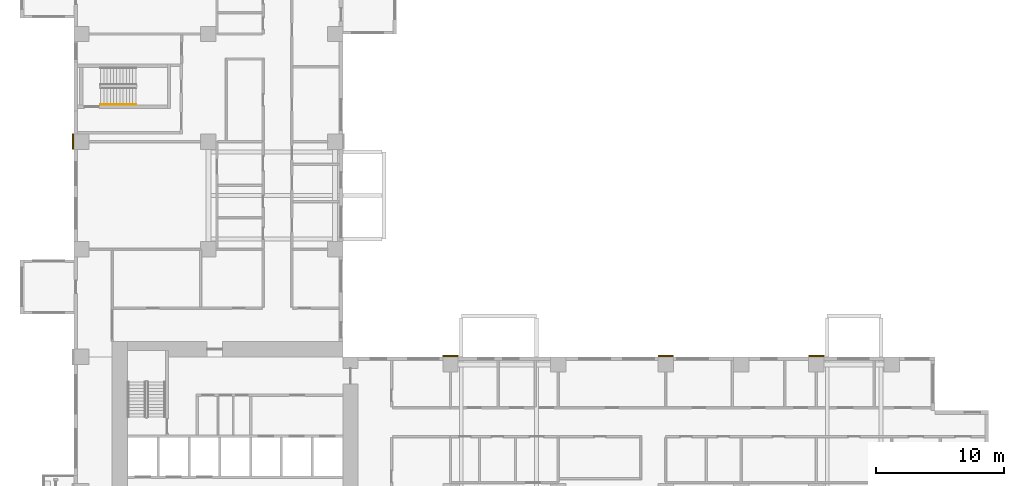
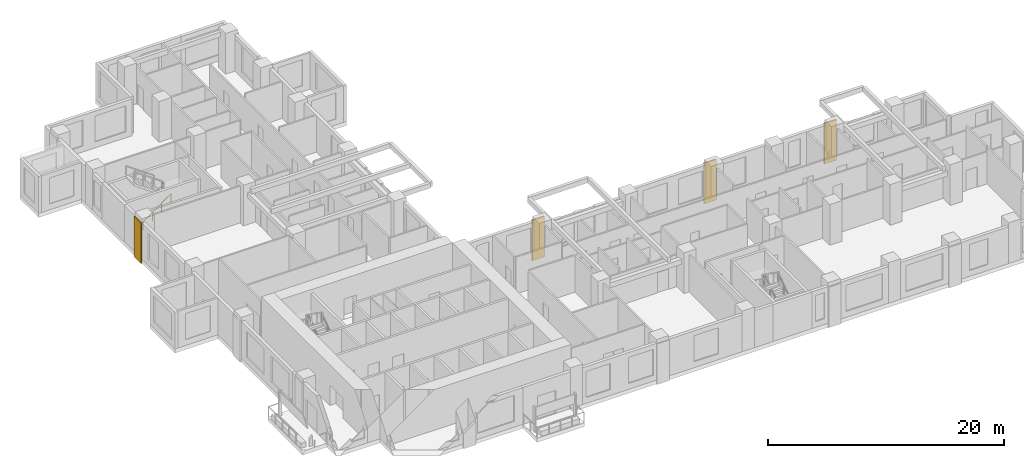
# One storey, part 13 of 14: 4 coverings, 1 railing.
"""IFC4 building model written with IfcOpenShell, lengths in metres."""

import ifcopenshell
import ifcopenshell.guid

model = None  # the IFC model being written
_history = None  # IfcOwnerHistory: only IFC2X3 demands one
_inside = {}  # id of a spatial element -> (the spatial element, [elements in it])
_under = {}  # id of a project, library or spatial element -> (it, [spatial elements below it])
_declared = {}  # id of a project -> (the project, [libraries it declares])
_typed = {}  # id of a type object -> (the type object, [elements of that type])
_made_of = {}  # id of a material, layer set ... -> (it, [elements and type objects made of it])


def new_model(schema):
    """Start an empty IFC model of exactly this schema.

    Asked for "IFC4X3", IfcOpenShell would pick the latest addendum, in which some entities
    have other attributes; the version numbers below select the first issue.
    IFC2X3 requires an IfcOwnerHistory on every rooted entity: one is made here for all.
    """
    global model, _history
    if schema == "IFC4X3":
        model = ifcopenshell.file(schema_version=(4, 3, 0, 0))
    else:
        model = ifcopenshell.file(schema=schema)
    _inside.clear()
    _under.clear()
    _declared.clear()
    _typed.clear()
    _made_of.clear()
    _history = None
    if model.schema == "IFC2X3":
        org = make("IfcOrganization", Name="unknown")
        user = make(
            "IfcPersonAndOrganization",
            ThePerson=make("IfcPerson", FamilyName="unknown"),
            TheOrganization=org,
        )
        app = make(
            "IfcApplication",
            ApplicationDeveloper=org,
            Version="unknown",
            ApplicationFullName="unknown",
            ApplicationIdentifier="unknown",
        )
        _history = make(
            "IfcOwnerHistory",
            OwningUser=user,
            OwningApplication=app,
            ChangeAction="ADDED",
            CreationDate=0,
        )
    return model


def make(cls, **values):
    """One entity of the class cls with the attributes given. An attribute that is None is left unset."""
    return model.create_entity(
        cls, **{name: value for name, value in values.items() if value is not None}
    )


def rooted(cls, **values):
    """An entity with a GlobalId (a new one), such as an element, a storey or a relation."""
    return make(cls, GlobalId=ifcopenshell.guid.new(), OwnerHistory=_history, **values)


def si_unit(unit_type, name, prefix=None):
    """IfcSIUnit, for example si_unit("LENGTHUNIT", "METRE", prefix="MILLI")."""
    return make("IfcSIUnit", UnitType=unit_type, Prefix=prefix, Name=name)


def assignment(units):
    """IfcUnitAssignment: the units of a project."""
    return None if units is None else make("IfcUnitAssignment", Units=units)


def point(xyz):
    """IfcCartesianPoint."""
    return None if xyz is None else make("IfcCartesianPoint", Coordinates=xyz)


def direction(xyz):
    """IfcDirection."""
    return None if xyz is None else make("IfcDirection", DirectionRatios=xyz)


def frame(location, z_axis=None, x_axis=None):
    """IfcAxis2Placement3D, a coordinate frame: its origin and axes. An axis left out is left unset."""
    return make(
        "IfcAxis2Placement3D",
        Location=point(location),
        Axis=direction(z_axis),
        RefDirection=direction(x_axis),
    )


def frame_2d(location, x_axis=None):
    """IfcAxis2Placement2D, a coordinate frame in the plane: its origin and x axis."""
    return make(
        "IfcAxis2Placement2D", Location=point(location), RefDirection=direction(x_axis)
    )


def origin():
    """The frame at (0, 0, 0) with its axes left unset."""
    return frame((0.0, 0.0, 0.0))


def origin_2d():
    """The frame at (0, 0) in the plane with its x axis left unset."""
    return frame_2d((0.0, 0.0))


def place(relative_to, where):
    """IfcLocalPlacement: puts the frame where relative to a parent placement (None: the world)."""
    return make(
        "IfcLocalPlacement", PlacementRelTo=relative_to, RelativePlacement=where
    )


def context(
    kind, dimensions, precision=None, world=None, true_north=None, identifier=None
):
    """IfcGeometricRepresentationContext, for example the 3D "Model" context."""
    return make(
        "IfcGeometricRepresentationContext",
        ContextIdentifier=identifier,
        ContextType=kind,
        CoordinateSpaceDimension=dimensions,
        Precision=precision,
        WorldCoordinateSystem=world,
        TrueNorth=true_north,
    )


def subcontext(parent, identifier, kind, view, scale=None):
    """IfcGeometricRepresentationSubContext, for example "Body" below "Model"."""
    return make(
        "IfcGeometricRepresentationSubContext",
        ContextIdentifier=identifier,
        ContextType=kind,
        ParentContext=parent,
        TargetScale=scale,
        TargetView=view,
    )


def project(units=None, contexts=None):
    """IfcProject with its units and contexts."""
    return rooted(
        "IfcProject",
        Name="project",
        RepresentationContexts=contexts,
        UnitsInContext=assignment(units),
    )


def spatial(cls, under=None, at=None, **own):
    """A site, building, storey or space (cls), placed at a placement, below another one or the project."""
    s = rooted(cls, ObjectPlacement=at, **own)
    if under is not None:
        _under.setdefault(under.id(), (under, []))[1].append(s)
    return s


def profile(cls, at=None, kind="AREA", **sizes):
    """A parametric profile (cls). Its sizes go by their IFC names, for example OverallWidth=200.0."""
    return make(cls, ProfileType=kind, Position=at, **sizes)


def rectangle(**sizes):
    """IfcRectangleProfileDef."""
    return profile("IfcRectangleProfileDef", **sizes)


def circle(**sizes):
    """IfcCircleProfileDef."""
    return profile("IfcCircleProfileDef", **sizes)


def extrude(swept, where, along, depth):
    """IfcExtrudedAreaSolid: the profile swept, set in the frame where, extruded along a direction by depth."""
    return make(
        "IfcExtrudedAreaSolid",
        SweptArea=swept,
        Position=where,
        ExtrudedDirection=direction(along),
        Depth=depth,
    )


def shape(context_of_items, identifier, shape_type, items):
    """IfcShapeRepresentation: the items that make up one representation, for example the "Body"."""
    return make(
        "IfcShapeRepresentation",
        ContextOfItems=context_of_items,
        RepresentationIdentifier=identifier,
        RepresentationType=shape_type,
        Items=items,
    )


def source(mapping_origin, context_of_items, identifier, shape_type, items):
    """IfcRepresentationMap: a shape defined once, which mapped items show again and again."""
    return make(
        "IfcRepresentationMap",
        MappingOrigin=mapping_origin,
        MappedRepresentation=shape(context_of_items, identifier, shape_type, items),
    )


def transform(
    local_origin,
    x_axis=None,
    y_axis=None,
    z_axis=None,
    scale=None,
    scale2=None,
    scale3=None,
    uniform=True,
):
    """IfcCartesianTransformationOperator3D, or its non-uniform kind. x_axis, y_axis, z_axis: its Axis1, 2, 3."""
    if uniform:
        return make(
            "IfcCartesianTransformationOperator3D",
            Axis1=direction(x_axis),
            Axis2=direction(y_axis),
            LocalOrigin=point(local_origin),
            Scale=scale,
            Axis3=direction(z_axis),
        )
    return make(
        "IfcCartesianTransformationOperator3DnonUniform",
        Axis1=direction(x_axis),
        Axis2=direction(y_axis),
        LocalOrigin=point(local_origin),
        Scale=scale,
        Axis3=direction(z_axis),
        Scale2=scale2,
        Scale3=scale3,
    )


def mapped(mapping_source, mapping_target):
    """IfcMappedItem: shows the shape of a source again, moved by a transform."""
    return make(
        "IfcMappedItem", MappingSource=mapping_source, MappingTarget=mapping_target
    )


def material(Name=None, Category=None):
    """IfcMaterial."""
    return make("IfcMaterial", Name=Name, Category=Category)


def made_of(thing, what):
    """Note that an element or type object is made of a material, layer set ...; save() writes the relation."""
    if what is not None:
        _made_of.setdefault(what.id(), (what, []))[1].append(thing)
    return thing


def type_object(cls, material=None, **own):
    """A type object (cls), such as IfcWallType, which elements share."""
    return made_of(rooted(cls, **own), material)


def element(
    cls,
    number,
    at=None,
    inside=None,
    cuts=None,
    type_object=None,
    material=None,
    context=None,
    identifier="Body",
    shape_type=None,
    held_by="IfcProductDefinitionShape",
    body=None,
    shapes=None,
    **own,
):
    """One element of the class cls, such as IfcWall. Its Tag is "e" and its number.

    at: its placement. inside: the storey or other place that contains it. cuts: it is an
    opening in that element (IfcRelVoidsElement). A single representation is given by context,
    identifier, shape_type and body (its items); several are given by shapes. held_by: the class
    of the entity that holds the representations. save() writes the other relations.
    """
    e = rooted(cls, Tag="e%d" % number, ObjectPlacement=at, **own)
    if body is not None:
        shapes = [shape(context, identifier, shape_type, body)]
    if shapes is not None:
        e.Representation = make(held_by, Representations=shapes)
    if inside is not None:
        _inside.setdefault(inside.id(), (inside, []))[1].append(e)
    if cuts is not None:
        rooted(
            "IfcRelVoidsElement", RelatingBuildingElement=cuts, RelatedOpeningElement=e
        )
    if type_object is not None:
        _typed.setdefault(type_object.id(), (type_object, []))[1].append(e)
    return made_of(e, material)


def aggregate(whole, parts):
    """IfcRelAggregates: a whole, such as a stair, and the parts it consists of."""
    return rooted("IfcRelAggregates", RelatingObject=whole, RelatedObjects=parts)


def save(model, path):
    """Write the relations noted so far, then the file.

    IfcRelAggregates (storeys below a building ...), IfcRelContainedInSpatialStructure (elements
    in a storey), IfcRelDefinesByType, IfcRelAssociatesMaterial and IfcRelDeclares: one each for
    every whole, place, type object, material and project.
    """
    for whole, parts in _under.values():
        aggregate(whole, parts)
    for where, things in _inside.values():
        rooted(
            "IfcRelContainedInSpatialStructure",
            RelatedElements=things,
            RelatingStructure=where,
        )
    for kind, things in _typed.values():
        rooted("IfcRelDefinesByType", RelatedObjects=things, RelatingType=kind)
    for what, things in _made_of.values():
        rooted("IfcRelAssociatesMaterial", RelatedObjects=things, RelatingMaterial=what)
    for by, libraries in _declared.values():
        rooted("IfcRelDeclares", RelatingContext=by, RelatedDefinitions=libraries)
    model.write(path)


model = new_model("IFC4")

# Units and contexts
model_context = context("Model", 3, precision=1e-05, world=origin(), true_north=direction((0.0, 1.0)))
body_context = subcontext(model_context, "Body", "Model", "MODEL_VIEW")
ifc_project = project(units=[si_unit("LENGTHUNIT", "METRE"), si_unit("AREAUNIT", "SQUARE_METRE"), si_unit("VOLUMEUNIT", "CUBIC_METRE"), si_unit("PLANEANGLEUNIT", "RADIAN"), si_unit("MASSUNIT", "GRAM", prefix="KILO")], contexts=[model_context])

# Site, building, storey
site_placement = place(None, origin())
site = spatial("IfcSite", under=ifc_project, at=site_placement, CompositionType="ELEMENT")
building_placement = place(site_placement, origin())
building = spatial("IfcBuilding", under=site, at=building_placement, Name="Aurelian Terraces", CompositionType="ELEMENT")
storey_placement = place(building_placement, frame((0.0, 0.0, 86.7)))
storey = spatial("IfcBuildingStorey", under=building, at=storey_placement, Name="L18", CompositionType="ELEMENT", Elevation=86.7)

# Coverings
ifc_material_1 = material(Name="Terracotta rainscreen cladding relief", Category="masonry")
covering_type = type_object("IfcCoveringType", Name="BAGUETTE-TC", PredefinedType="CLADDING", material=ifc_material_1)
shared_shape_1 = source(origin(), body_context, "Body", "SweptSolid", [
    extrude(rectangle(XDim=1.2, YDim=0.12, at=origin_2d()), origin(), (0.0, 0.0, 1.0), 4.2),
])
for number, where, z_axis, x_axis, name in (
    (1, (29.4, 21.06, -0.4), (0.0, 0.0, 1.0), (1.0, 0.0, 0.0), "BAGUETTE pier L18 6"),
    (2, (46.2, 21.06, -0.4), (0.0, 0.0, 1.0), (1.0, 0.0, 0.0), "BAGUETTE pier L18 7"),
    (3, (57.96, 21.06, -0.4), (0.0, 0.0, 1.0), (1.0, 0.0, 0.0), "BAGUETTE pier L18 8"),
):
    element("IfcCovering", number, at=place(storey_placement, frame(where, z_axis=z_axis, x_axis=x_axis)), inside=storey, type_object=covering_type, Name=name, PredefinedType="CLADDING", context=body_context, shape_type="MappedRepresentation", body=[
        mapped(shared_shape_1, transform((0.0, 0.0, 0.0), scale=1.0)),
    ])
shared_shape_2 = source(origin(), body_context, "Body", "SweptSolid", [
    extrude(rectangle(XDim=0.12, YDim=1.2, at=origin_2d()), origin(), (0.0, 0.0, 1.0), 4.2),
])
covering_placement = place(storey_placement, frame((-0.06, 37.8, -0.4), z_axis=(0.0, 0.0, 1.0), x_axis=(1.0, 0.0, 0.0)))
element("IfcCovering", 4, at=covering_placement, inside=storey, type_object=covering_type, Name="BAGUETTE pier L18 10", PredefinedType="CLADDING", context=body_context, shape_type="MappedRepresentation", body=[
    mapped(shared_shape_2, transform((0.0, 0.0, 0.0), scale=1.0)),
])

# Railing
ifc_material_2 = material(Name="Stainless steel", Category="steel")
railing_type = type_object("IfcRailingType", Name="Stair handrail", PredefinedType="HANDRAIL", material=ifc_material_2)
shared_shape_3 = source(origin(), body_context, "Body", "SweptSolid", [
    extrude(circle(Radius=0.024, at=origin_2d()), frame((0.0, 0.0, 0.876), z_axis=(0.819231920519, 0.0, 0.573462344363), x_axis=(0.0, 1.0, 0.0)), (0.0, 0.0, 1.0), 3.3568),
    extrude(circle(Radius=0.021, at=origin_2d()), origin(), (0.0, 0.0, 1.0), 0.852),
    extrude(circle(Radius=0.021, at=origin_2d()), frame((0.9167, 0.0, 0.6417)), (0.0, 0.0, 1.0), 0.852),
    extrude(circle(Radius=0.021, at=origin_2d()), frame((1.8333, 0.0, 1.2833)), (0.0, 0.0, 1.0), 0.852),
    extrude(circle(Radius=0.021, at=origin_2d()), frame((2.75, 0.0, 1.925)), (0.0, 0.0, 1.0), 0.852),
])
railing_placement = place(storey_placement, frame((2.1, 40.7, 0.175)))
element("IfcRailing", 5, at=railing_placement, inside=storey, type_object=railing_type, Name="L18 S3 stair handrail 1", PredefinedType="HANDRAIL", context=body_context, shape_type="MappedRepresentation", body=[
    mapped(shared_shape_3, transform((0.0, 0.0, 0.0), scale=1.0)),
])

save(model, "model.ifc")
